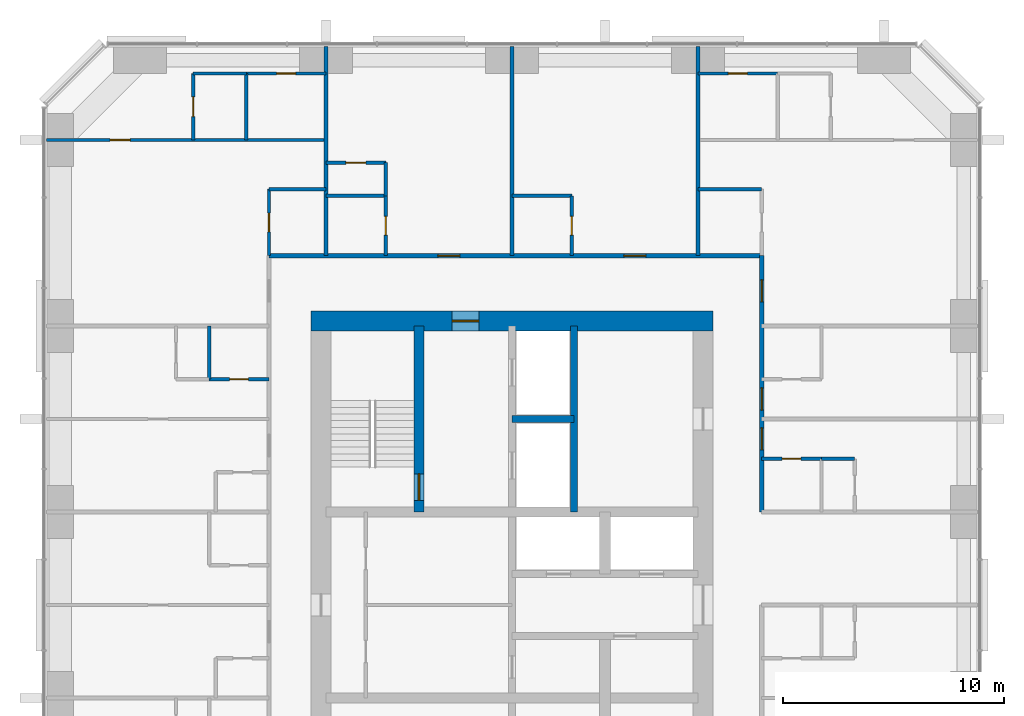
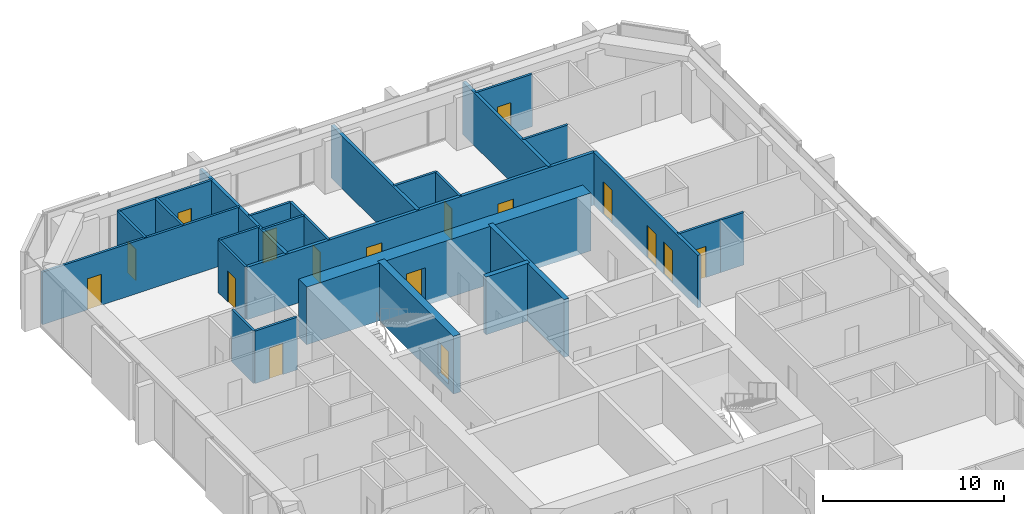
# One storey, part 10 of 12: 28 walls, 17 doors, 17 openings.
"""IFC4 building model written with IfcOpenShell, lengths in metres."""

import ifcopenshell
import ifcopenshell.guid

model = None  # the IFC model being written
_history = None  # IfcOwnerHistory: only IFC2X3 demands one
_inside = {}  # id of a spatial element -> (the spatial element, [elements in it])
_under = {}  # id of a project, library or spatial element -> (it, [spatial elements below it])
_declared = {}  # id of a project -> (the project, [libraries it declares])
_typed = {}  # id of a type object -> (the type object, [elements of that type])
_made_of = {}  # id of a material, layer set ... -> (it, [elements and type objects made of it])


def new_model(schema):
    """Start an empty IFC model of exactly this schema.

    Asked for "IFC4X3", IfcOpenShell would pick the latest addendum, in which some entities
    have other attributes; the version numbers below select the first issue.
    IFC2X3 requires an IfcOwnerHistory on every rooted entity: one is made here for all.
    """
    global model, _history
    if schema == "IFC4X3":
        model = ifcopenshell.file(schema_version=(4, 3, 0, 0))
    else:
        model = ifcopenshell.file(schema=schema)
    _inside.clear()
    _under.clear()
    _declared.clear()
    _typed.clear()
    _made_of.clear()
    _history = None
    if model.schema == "IFC2X3":
        org = make("IfcOrganization", Name="unknown")
        user = make(
            "IfcPersonAndOrganization",
            ThePerson=make("IfcPerson", FamilyName="unknown"),
            TheOrganization=org,
        )
        app = make(
            "IfcApplication",
            ApplicationDeveloper=org,
            Version="unknown",
            ApplicationFullName="unknown",
            ApplicationIdentifier="unknown",
        )
        _history = make(
            "IfcOwnerHistory",
            OwningUser=user,
            OwningApplication=app,
            ChangeAction="ADDED",
            CreationDate=0,
        )
    return model


def make(cls, **values):
    """One entity of the class cls with the attributes given. An attribute that is None is left unset."""
    return model.create_entity(
        cls, **{name: value for name, value in values.items() if value is not None}
    )


def rooted(cls, **values):
    """An entity with a GlobalId (a new one), such as an element, a storey or a relation."""
    return make(cls, GlobalId=ifcopenshell.guid.new(), OwnerHistory=_history, **values)


def si_unit(unit_type, name, prefix=None):
    """IfcSIUnit, for example si_unit("LENGTHUNIT", "METRE", prefix="MILLI")."""
    return make("IfcSIUnit", UnitType=unit_type, Prefix=prefix, Name=name)


def assignment(units):
    """IfcUnitAssignment: the units of a project."""
    return None if units is None else make("IfcUnitAssignment", Units=units)


def point(xyz):
    """IfcCartesianPoint."""
    return None if xyz is None else make("IfcCartesianPoint", Coordinates=xyz)


def direction(xyz):
    """IfcDirection."""
    return None if xyz is None else make("IfcDirection", DirectionRatios=xyz)


def frame(location, z_axis=None, x_axis=None):
    """IfcAxis2Placement3D, a coordinate frame: its origin and axes. An axis left out is left unset."""
    return make(
        "IfcAxis2Placement3D",
        Location=point(location),
        Axis=direction(z_axis),
        RefDirection=direction(x_axis),
    )


def frame_2d(location, x_axis=None):
    """IfcAxis2Placement2D, a coordinate frame in the plane: its origin and x axis."""
    return make(
        "IfcAxis2Placement2D", Location=point(location), RefDirection=direction(x_axis)
    )


def origin():
    """The frame at (0, 0, 0) with its axes left unset."""
    return frame((0.0, 0.0, 0.0))


def place(relative_to, where):
    """IfcLocalPlacement: puts the frame where relative to a parent placement (None: the world)."""
    return make(
        "IfcLocalPlacement", PlacementRelTo=relative_to, RelativePlacement=where
    )


def context(
    kind, dimensions, precision=None, world=None, true_north=None, identifier=None
):
    """IfcGeometricRepresentationContext, for example the 3D "Model" context."""
    return make(
        "IfcGeometricRepresentationContext",
        ContextIdentifier=identifier,
        ContextType=kind,
        CoordinateSpaceDimension=dimensions,
        Precision=precision,
        WorldCoordinateSystem=world,
        TrueNorth=true_north,
    )


def subcontext(parent, identifier, kind, view, scale=None):
    """IfcGeometricRepresentationSubContext, for example "Body" below "Model"."""
    return make(
        "IfcGeometricRepresentationSubContext",
        ContextIdentifier=identifier,
        ContextType=kind,
        ParentContext=parent,
        TargetScale=scale,
        TargetView=view,
    )


def project(units=None, contexts=None):
    """IfcProject with its units and contexts."""
    return rooted(
        "IfcProject",
        Name="project",
        RepresentationContexts=contexts,
        UnitsInContext=assignment(units),
    )


def spatial(cls, under=None, at=None, **own):
    """A site, building, storey or space (cls), placed at a placement, below another one or the project."""
    s = rooted(cls, ObjectPlacement=at, **own)
    if under is not None:
        _under.setdefault(under.id(), (under, []))[1].append(s)
    return s


def profile(cls, at=None, kind="AREA", **sizes):
    """A parametric profile (cls). Its sizes go by their IFC names, for example OverallWidth=200.0."""
    return make(cls, ProfileType=kind, Position=at, **sizes)


def rectangle(**sizes):
    """IfcRectangleProfileDef."""
    return profile("IfcRectangleProfileDef", **sizes)


def extrude(swept, where, along, depth):
    """IfcExtrudedAreaSolid: the profile swept, set in the frame where, extruded along a direction by depth."""
    return make(
        "IfcExtrudedAreaSolid",
        SweptArea=swept,
        Position=where,
        ExtrudedDirection=direction(along),
        Depth=depth,
    )


def shape(context_of_items, identifier, shape_type, items):
    """IfcShapeRepresentation: the items that make up one representation, for example the "Body"."""
    return make(
        "IfcShapeRepresentation",
        ContextOfItems=context_of_items,
        RepresentationIdentifier=identifier,
        RepresentationType=shape_type,
        Items=items,
    )


def material(Name=None, Category=None):
    """IfcMaterial."""
    return make("IfcMaterial", Name=Name, Category=Category)


def layer(
    of_material, thickness, ventilated=None, Name=None, Category=None, Priority=None
):
    """IfcMaterialLayer: one layer of a wall or slab, of a material (None: an air gap)."""
    return make(
        "IfcMaterialLayer",
        Material=of_material,
        LayerThickness=thickness,
        IsVentilated=ventilated,
        Name=Name,
        Category=Category,
        Priority=Priority,
    )


def layer_set(layers, Name=None):
    """IfcMaterialLayerSet."""
    return make("IfcMaterialLayerSet", MaterialLayers=layers, LayerSetName=Name)


def made_of(thing, what):
    """Note that an element or type object is made of a material, layer set ...; save() writes the relation."""
    if what is not None:
        _made_of.setdefault(what.id(), (what, []))[1].append(thing)
    return thing


def type_object(cls, material=None, **own):
    """A type object (cls), such as IfcWallType, which elements share."""
    return made_of(rooted(cls, **own), material)


def element(
    cls,
    number,
    at=None,
    inside=None,
    cuts=None,
    type_object=None,
    material=None,
    context=None,
    identifier="Body",
    shape_type=None,
    held_by="IfcProductDefinitionShape",
    body=None,
    shapes=None,
    **own,
):
    """One element of the class cls, such as IfcWall. Its Tag is "e" and its number.

    at: its placement. inside: the storey or other place that contains it. cuts: it is an
    opening in that element (IfcRelVoidsElement). A single representation is given by context,
    identifier, shape_type and body (its items); several are given by shapes. held_by: the class
    of the entity that holds the representations. save() writes the other relations.
    """
    e = rooted(cls, Tag="e%d" % number, ObjectPlacement=at, **own)
    if body is not None:
        shapes = [shape(context, identifier, shape_type, body)]
    if shapes is not None:
        e.Representation = make(held_by, Representations=shapes)
    if inside is not None:
        _inside.setdefault(inside.id(), (inside, []))[1].append(e)
    if cuts is not None:
        rooted(
            "IfcRelVoidsElement", RelatingBuildingElement=cuts, RelatedOpeningElement=e
        )
    if type_object is not None:
        _typed.setdefault(type_object.id(), (type_object, []))[1].append(e)
    return made_of(e, material)


def fill(opening, filler):
    """IfcRelFillsElement: the door or window that sits in an opening."""
    return rooted(
        "IfcRelFillsElement",
        RelatingOpeningElement=opening,
        RelatedBuildingElement=filler,
    )


def aggregate(whole, parts):
    """IfcRelAggregates: a whole, such as a stair, and the parts it consists of."""
    return rooted("IfcRelAggregates", RelatingObject=whole, RelatedObjects=parts)


def save(model, path):
    """Write the relations noted so far, then the file.

    IfcRelAggregates (storeys below a building ...), IfcRelContainedInSpatialStructure (elements
    in a storey), IfcRelDefinesByType, IfcRelAssociatesMaterial and IfcRelDeclares: one each for
    every whole, place, type object, material and project.
    """
    for whole, parts in _under.values():
        aggregate(whole, parts)
    for where, things in _inside.values():
        rooted(
            "IfcRelContainedInSpatialStructure",
            RelatedElements=things,
            RelatingStructure=where,
        )
    for kind, things in _typed.values():
        rooted("IfcRelDefinesByType", RelatedObjects=things, RelatingType=kind)
    for what, things in _made_of.values():
        rooted("IfcRelAssociatesMaterial", RelatedObjects=things, RelatingMaterial=what)
    for by, libraries in _declared.values():
        rooted("IfcRelDeclares", RelatingContext=by, RelatedDefinitions=libraries)
    model.write(path)


model = new_model("IFC4")

# Units and contexts
model_context = context("Model", 3, precision=1e-05, world=origin(), true_north=direction((0.0, 1.0)))
body_context = subcontext(model_context, "Body", "Model", "MODEL_VIEW")
ifc_project = project(units=[si_unit("LENGTHUNIT", "METRE"), si_unit("AREAUNIT", "SQUARE_METRE"), si_unit("VOLUMEUNIT", "CUBIC_METRE"), si_unit("PLANEANGLEUNIT", "RADIAN"), si_unit("MASSUNIT", "GRAM", prefix="KILO")], contexts=[model_context])

# Site, building, storey
site_placement = place(None, origin())
site = spatial("IfcSite", under=ifc_project, at=site_placement, CompositionType="ELEMENT")
building_placement = place(site_placement, origin())
building = spatial("IfcBuilding", under=site, at=building_placement, Name="Dunama Terrace Hotel", CompositionType="ELEMENT")
storey_placement = place(building_placement, frame((0.0, 0.0, 233.39990234375)))
storey = spatial("IfcBuildingStorey", under=building, at=storey_placement, Name="L60", CompositionType="ELEMENT", Elevation=233.39990234375)

# Wall, opening, door
ifc_material_1 = material(Name="Gypsum board partition", Category="masonry")
ifc_layer_1 = layer(ifc_material_1, 0.14990234375)
ifc_layer_set_1 = layer_set([ifc_layer_1], Name="Bathroom partition 150")
wall_type_1 = type_object("IfcWallType", Name="Bathroom partition 150", PredefinedType="PARTITIONING", material=ifc_layer_set_1)
wall_1_placement = place(storey_placement, frame((22.625, 45.175048828125, 0.0), z_axis=(0.0, 0.0, 1.0), x_axis=(0.0, 1.0, 0.0)))
wall_1 = element("IfcWall", 1, at=wall_1_placement, inside=storey, type_object=wall_type_1, Name="Bathroom partition 150 L60", PredefinedType="PARTITIONING", context=body_context, shape_type="SweptSolid", body=[
    extrude(rectangle(XDim=3.0, YDim=0.14990234375, at=frame_2d((1.5, 0.0))), origin(), (0.0, 0.0, 1.0), 3.550048828125),
])
opening_1_placement = place(wall_1_placement, frame((1.074951171875, 0.0, 0.0)))
opening_1 = element("IfcOpeningElement", 2, at=opening_1_placement, cuts=wall_1, Name="Opening L60-062", PredefinedType="OPENING", context=body_context, shape_type="SweptSolid", body=[
    extrude(rectangle(XDim=0.85009765625, YDim=2.10009765625, at=frame_2d((0.425048828125, 1.050048828125))), frame((0.0, 0.0849609375, 0.0), z_axis=(0.0, -1.0, 0.0), x_axis=(1.0, 0.0, 0.0)), (0.0, 0.0, 1.0), 0.169921875),
])
ifc_material_2 = material(Name="Timber door with steel frame", Category="steel")
door_type_1 = type_object("IfcDoorType", Name="Bathroom door 850", OperationType="SINGLE_SWING_LEFT", PredefinedType="DOOR", material=ifc_material_2)
door_1_placement = place(opening_1_placement, frame((0.85009765625, 0.0, 0.0), z_axis=(0.0, 0.0, 1.0), x_axis=(-1.0, 0.0, 0.0)))
door_1 = element("IfcDoor", 3, at=door_1_placement, inside=storey, type_object=door_type_1, Name="Door to powder room L60-062, type D2", OperationType="SINGLE_SWING_RIGHT", OverallHeight=2.10009765625, OverallWidth=0.85009765625, PredefinedType="DOOR", context=body_context, shape_type="SweptSolid", body=[
    extrude(rectangle(XDim=0.85009765625, YDim=2.10009765625, at=frame_2d((0.425048828125, 1.050048828125))), frame((0.0, 0.025146484375, 0.0), z_axis=(0.0, -1.0, 0.0), x_axis=(1.0, 0.0, 0.0)), (0.0, 0.0, 1.0), 0.050048828125),
])
fill(opening_1, door_1)

wall_2_placement = place(storey_placement, frame((27.89990234375, 45.175048828125, 0.0), z_axis=(0.0, 0.0, 1.0), x_axis=(0.0, 1.0, 0.0)))
wall_2 = element("IfcWall", 4, at=wall_2_placement, inside=storey, type_object=wall_type_1, Name="Bathroom partition 150 L60", PredefinedType="PARTITIONING", context=body_context, shape_type="SweptSolid", body=[
    extrude(rectangle(XDim=2.699951171875, YDim=0.14990234375, at=frame_2d((1.35009765625, 0.0))), origin(), (0.0, 0.0, 1.0), 3.550048828125),
])
opening_2_placement = place(wall_2_placement, frame((0.925048828125, 0.0, 0.0)))
opening_2 = element("IfcOpeningElement", 5, at=opening_2_placement, cuts=wall_2, Name="Opening L60-028", PredefinedType="OPENING", context=body_context, shape_type="SweptSolid", body=[
    extrude(rectangle(XDim=0.85009765625, YDim=2.10009765625, at=frame_2d((0.425048828125, 1.050048828125))), frame((0.0, 0.0849609375, 0.0), z_axis=(0.0, -1.0, 0.0), x_axis=(1.0, 0.0, 0.0)), (0.0, 0.0, 1.0), 0.169921875),
])
door_2_placement = place(opening_2_placement, origin())
door_2 = element("IfcDoor", 6, at=door_2_placement, inside=storey, type_object=door_type_1, Name="Door to en-suite bathroom L60-028, type D2", OperationType="SINGLE_SWING_LEFT", OverallHeight=2.10009765625, OverallWidth=0.85009765625, PredefinedType="DOOR", context=body_context, shape_type="SweptSolid", body=[
    extrude(rectangle(XDim=0.85009765625, YDim=2.10009765625, at=frame_2d((0.425048828125, 1.050048828125))), frame((0.0, 0.02490234375, 0.0), z_axis=(0.0, -1.0, 0.0), x_axis=(1.0, 0.0, 0.0)), (0.0, 0.0, 1.0), 0.050048828125),
])
fill(opening_2, door_2)

wall_3_placement = place(storey_placement, frame((36.300048828125, 45.175048828125, 0.0), z_axis=(0.0, 0.0, 1.0), x_axis=(0.0, 1.0, 0.0)))
wall_3 = element("IfcWall", 7, at=wall_3_placement, inside=storey, type_object=wall_type_1, Name="Bathroom partition 150 L60", PredefinedType="PARTITIONING", context=body_context, shape_type="SweptSolid", body=[
    extrude(rectangle(XDim=2.699951171875, YDim=0.14990234375, at=frame_2d((1.35009765625, 0.0))), origin(), (0.0, 0.0, 1.0), 3.550048828125),
])
opening_3_placement = place(wall_3_placement, frame((0.925048828125, 0.0, 0.0)))
opening_3 = element("IfcOpeningElement", 8, at=opening_3_placement, cuts=wall_3, Name="Opening L60-031", PredefinedType="OPENING", context=body_context, shape_type="SweptSolid", body=[
    extrude(rectangle(XDim=0.85009765625, YDim=2.10009765625, at=frame_2d((0.425048828125, 1.050048828125))), frame((0.0, 0.0849609375, 0.0), z_axis=(0.0, -1.0, 0.0), x_axis=(1.0, 0.0, 0.0)), (0.0, 0.0, 1.0), 0.169921875),
])
door_3_placement = place(opening_3_placement, origin())
door_3 = element("IfcDoor", 9, at=door_3_placement, inside=storey, type_object=door_type_1, Name="Door to en-suite bathroom L60-031, type D2", OperationType="SINGLE_SWING_LEFT", OverallHeight=2.10009765625, OverallWidth=0.85009765625, PredefinedType="DOOR", context=body_context, shape_type="SweptSolid", body=[
    extrude(rectangle(XDim=0.85009765625, YDim=2.10009765625, at=frame_2d((0.425048828125, 1.050048828125))), frame((0.0, 0.02490234375, 0.0), z_axis=(0.0, -1.0, 0.0), x_axis=(1.0, 0.0, 0.0)), (0.0, 0.0, 1.0), 0.050048828125),
])
fill(opening_3, door_3)

wall_4_placement = place(storey_placement, frame((44.875, 36.0, 0.0), z_axis=(0.0, 0.0, 1.0), x_axis=(1.0, 0.0, 0.0)))
wall_4 = element("IfcWall", 10, at=wall_4_placement, inside=storey, type_object=wall_type_1, Name="Bathroom partition 150 L60", PredefinedType="PARTITIONING", context=body_context, shape_type="SweptSolid", body=[
    extrude(rectangle(XDim=2.699951171875, YDim=0.14990234375, at=frame_2d((1.35009765625, 0.0))), origin(), (0.0, 0.0, 1.0), 3.550048828125),
])
opening_4_placement = place(wall_4_placement, frame((0.925048828125, 0.0, 0.0)))
opening_4 = element("IfcOpeningElement", 11, at=opening_4_placement, cuts=wall_4, Name="Opening L60-023", PredefinedType="OPENING", context=body_context, shape_type="SweptSolid", body=[
    extrude(rectangle(XDim=0.85009765625, YDim=2.10009765625, at=frame_2d((0.425048828125, 1.050048828125))), frame((0.0, 0.0849609375, 0.0), z_axis=(0.0, -1.0, 0.0), x_axis=(1.0, 0.0, 0.0)), (0.0, 0.0, 1.0), 0.169921875),
])
door_4_placement = place(opening_4_placement, frame((0.85009765625, 0.0, 0.0), z_axis=(0.0, 0.0, 1.0), x_axis=(-1.0, 0.0, 0.0)))
door_4 = element("IfcDoor", 12, at=door_4_placement, inside=storey, type_object=door_type_1, Name="Door to en-suite bathroom L60-023, type D2", OperationType="SINGLE_SWING_RIGHT", OverallHeight=2.10009765625, OverallWidth=0.85009765625, PredefinedType="DOOR", context=body_context, shape_type="SweptSolid", body=[
    extrude(rectangle(XDim=0.85009765625, YDim=2.10009765625, at=frame_2d((0.425048828125, 1.050048828125))), frame((0.0, 0.025146484375, 0.0), z_axis=(0.0, -1.0, 0.0), x_axis=(1.0, 0.0, 0.0)), (0.0, 0.0, 1.0), 0.050048828125),
])
fill(opening_4, door_4)

wall_5_placement = place(storey_placement, frame((19.925048828125, 39.60009765625, 0.0), z_axis=(0.0, 0.0, 1.0), x_axis=(1.0, 0.0, 0.0)))
wall_5 = element("IfcWall", 13, at=wall_5_placement, inside=storey, type_object=wall_type_1, Name="Bathroom partition 150 L60", PredefinedType="PARTITIONING", context=body_context, shape_type="SweptSolid", body=[
    extrude(rectangle(XDim=2.699951171875, YDim=0.14990234375, at=frame_2d((1.35009765625, 0.0))), origin(), (0.0, 0.0, 1.0), 3.550048828125),
])
opening_5_placement = place(wall_5_placement, frame((0.925048828125, 0.0, 0.0)))
opening_5 = element("IfcOpeningElement", 14, at=opening_5_placement, cuts=wall_5, Name="Opening L60-044", PredefinedType="OPENING", context=body_context, shape_type="SweptSolid", body=[
    extrude(rectangle(XDim=0.85009765625, YDim=2.10009765625, at=frame_2d((0.425048828125, 1.050048828125))), frame((0.0, 0.0849609375, 0.0), z_axis=(0.0, -1.0, 0.0), x_axis=(1.0, 0.0, 0.0)), (0.0, 0.0, 1.0), 0.169921875),
])
door_5_placement = place(opening_5_placement, origin())
door_5 = element("IfcDoor", 15, at=door_5_placement, inside=storey, type_object=door_type_1, Name="Door to en-suite bathroom L60-044, type D2", OperationType="SINGLE_SWING_RIGHT", OverallHeight=2.10009765625, OverallWidth=0.85009765625, PredefinedType="DOOR", context=body_context, shape_type="SweptSolid", body=[
    extrude(rectangle(XDim=0.85009765625, YDim=2.10009765625, at=frame_2d((0.425048828125, 1.050048828125))), frame((0.0, 0.02490234375, 0.0), z_axis=(0.0, -1.0, 0.0), x_axis=(1.0, 0.0, 0.0)), (0.0, 0.0, 1.0), 0.050048828125),
])
fill(opening_5, door_5)

# Walls
wall_6_placement = place(storey_placement, frame((33.60009765625, 47.875, 0.0), z_axis=(0.0, 0.0, 1.0), x_axis=(1.0, 0.0, 0.0)))
element("IfcWall", 16, at=wall_6_placement, inside=storey, type_object=wall_type_1, Name="Bathroom partition 150 L60", PredefinedType="PARTITIONING", context=body_context, shape_type="SweptSolid", body=[
    extrude(rectangle(XDim=2.699951171875, YDim=0.14990234375, at=frame_2d((1.35009765625, 0.0))), origin(), (0.0, 0.0, 1.0), 3.550048828125),
])
wall_7_placement = place(storey_placement, frame((22.625, 48.175048828125, 0.0), z_axis=(0.0, 0.0, 1.0), x_axis=(1.0, 0.0, 0.0)))
element("IfcWall", 17, at=wall_7_placement, inside=storey, type_object=wall_type_1, Name="Bathroom partition 150 L60", PredefinedType="PARTITIONING", context=body_context, shape_type="SweptSolid", body=[
    extrude(rectangle(XDim=2.574951171875, YDim=0.14990234375, at=frame_2d((1.28759765625, 0.0))), origin(), (0.0, 0.0, 1.0), 3.550048828125),
])
wall_8_placement = place(storey_placement, frame((42.0, 48.175048828125, 0.0), z_axis=(0.0, 0.0, 1.0), x_axis=(1.0, 0.0, 0.0)))
element("IfcWall", 18, at=wall_8_placement, inside=storey, type_object=wall_type_1, Name="Bathroom partition 150 L60", PredefinedType="PARTITIONING", context=body_context, shape_type="SweptSolid", body=[
    extrude(rectangle(XDim=2.875, YDim=0.14990234375, at=frame_2d((1.4375, 0.0))), origin(), (0.0, 0.0, 1.0), 3.550048828125),
])

# Wall, opening, door
wall_9_placement = place(storey_placement, frame((21.60009765625, 53.39990234375, 0.0), z_axis=(0.0, 0.0, 1.0), x_axis=(1.0, 0.0, 0.0)))
wall_9 = element("IfcWall", 19, at=wall_9_placement, inside=storey, type_object=wall_type_1, Name="Bathroom partition 150 L60", PredefinedType="PARTITIONING", context=body_context, shape_type="SweptSolid", body=[
    extrude(rectangle(XDim=3.599853515625, YDim=0.14990234375, at=frame_2d((1.7998046875, 0.0))), origin(), (0.0, 0.0, 1.0), 3.550048828125),
])
opening_6_placement = place(wall_9_placement, frame((1.375, 0.0, 0.0)))
opening_6 = element("IfcOpeningElement", 20, at=opening_6_placement, cuts=wall_9, Name="Opening L60-064", PredefinedType="OPENING", context=body_context, shape_type="SweptSolid", body=[
    extrude(rectangle(XDim=0.85009765625, YDim=2.10009765625, at=frame_2d((0.425048828125, 1.050048828125))), frame((0.0, 0.0849609375, 0.0), z_axis=(0.0, -1.0, 0.0), x_axis=(1.0, 0.0, 0.0)), (0.0, 0.0, 1.0), 0.169921875),
])
door_6_placement = place(opening_6_placement, frame((0.85009765625, 0.0, 0.0), z_axis=(0.0, 0.0, 1.0), x_axis=(-1.0, 0.0, 0.0)))
door_6 = element("IfcDoor", 21, at=door_6_placement, inside=storey, type_object=door_type_1, Name="Door to en-suite bathroom L60-064, type D2", OperationType="SINGLE_SWING_LEFT", OverallHeight=2.10009765625, OverallWidth=0.85009765625, PredefinedType="DOOR", context=body_context, shape_type="SweptSolid", body=[
    extrude(rectangle(XDim=0.85009765625, YDim=2.10009765625, at=frame_2d((0.425048828125, 1.050048828125))), frame((0.0, 0.025146484375, 0.0), z_axis=(0.0, -1.0, 0.0), x_axis=(1.0, 0.0, 0.0)), (0.0, 0.0, 1.0), 0.050048828125),
])
fill(opening_6, door_6)

wall_10_placement = place(storey_placement, frame((42.0, 53.39990234375, 0.0), z_axis=(0.0, 0.0, 1.0), x_axis=(1.0, 0.0, 0.0)))
wall_10 = element("IfcWall", 22, at=wall_10_placement, inside=storey, type_object=wall_type_1, Name="Bathroom partition 150 L60", PredefinedType="PARTITIONING", context=body_context, shape_type="SweptSolid", body=[
    extrude(rectangle(XDim=3.60009765625, YDim=0.14990234375, at=frame_2d((1.800048828125, 0.0))), origin(), (0.0, 0.0, 1.0), 3.550048828125),
])
opening_7_placement = place(wall_10_placement, frame((1.375, 0.0, 0.0)))
opening_7 = element("IfcOpeningElement", 23, at=opening_7_placement, cuts=wall_10, Name="Opening L60-059", PredefinedType="OPENING", context=body_context, shape_type="SweptSolid", body=[
    extrude(rectangle(XDim=0.85009765625, YDim=2.10009765625, at=frame_2d((0.425048828125, 1.050048828125))), frame((0.0, 0.0849609375, 0.0), z_axis=(0.0, -1.0, 0.0), x_axis=(1.0, 0.0, 0.0)), (0.0, 0.0, 1.0), 0.169921875),
])
door_7_placement = place(opening_7_placement, frame((0.85009765625, 0.0, 0.0), z_axis=(0.0, 0.0, 1.0), x_axis=(-1.0, 0.0, 0.0)))
door_7 = element("IfcDoor", 24, at=door_7_placement, inside=storey, type_object=door_type_1, Name="Door to en-suite bathroom L60-059, type D2", OperationType="SINGLE_SWING_RIGHT", OverallHeight=2.10009765625, OverallWidth=0.85009765625, PredefinedType="DOOR", context=body_context, shape_type="SweptSolid", body=[
    extrude(rectangle(XDim=0.85009765625, YDim=2.10009765625, at=frame_2d((0.425048828125, 1.050048828125))), frame((0.0, 0.025146484375, 0.0), z_axis=(0.0, -1.0, 0.0), x_axis=(1.0, 0.0, 0.0)), (0.0, 0.0, 1.0), 0.050048828125),
])
fill(opening_7, door_7)

# Walls
ifc_material_3 = material(Name="Concrete C50/60", Category="concrete")
ifc_layer_2 = layer(ifc_material_3, 0.300048828125)
ifc_layer_set_2 = layer_set([ifc_layer_2], Name="Core inner wall 300")
wall_type_2 = type_object("IfcWallType", Name="Core inner wall 300", PredefinedType="SHEAR", material=ifc_layer_set_2)
wall_11_placement = place(storey_placement, frame((36.39990234375, 33.60009765625, -0.349853515625), z_axis=(0.0, 0.0, 1.0), x_axis=(0.0, 1.0, 0.0)))
element("IfcWall", 25, at=wall_11_placement, inside=storey, type_object=wall_type_2, Name="Core inner wall 300 L60", PredefinedType="SHEAR", context=body_context, shape_type="SweptSolid", body=[
    extrude(rectangle(XDim=8.39990234375, YDim=0.300048828125, at=frame_2d((4.199951171875, 0.0))), origin(), (0.0, 0.0, 1.0), 3.89990234375),
])
wall_12_placement = place(storey_placement, frame((33.60009765625, 37.800048828125, -0.349853515625), z_axis=(0.0, 0.0, 1.0), x_axis=(1.0, 0.0, 0.0)))
element("IfcWall", 26, at=wall_12_placement, inside=storey, type_object=wall_type_2, Name="Core inner wall 300 L60", PredefinedType="SHEAR", context=body_context, shape_type="SweptSolid", body=[
    extrude(rectangle(XDim=2.7998046875, YDim=0.300048828125, at=frame_2d((1.39990234375, 0.0))), origin(), (0.0, 0.0, 1.0), 3.89990234375),
])

# Wall, opening, door
ifc_material_4 = material(Name="Concrete C50/60", Category="concrete")
ifc_layer_3 = layer(ifc_material_4, 0.449951171875)
ifc_layer_set_3 = layer_set([ifc_layer_3], Name="Core inner wall 450")
wall_type_3 = type_object("IfcWallType", Name="Core inner wall 450", PredefinedType="SHEAR", material=ifc_layer_set_3)
wall_13_placement = place(storey_placement, frame((29.39990234375, 33.60009765625, -0.349853515625), z_axis=(0.0, 0.0, 1.0), x_axis=(0.0, 1.0, 0.0)))
wall_13 = element("IfcWall", 27, at=wall_13_placement, inside=storey, type_object=wall_type_3, Name="Core inner wall 450 L60", PredefinedType="SHEAR", context=body_context, shape_type="SweptSolid", body=[
    extrude(rectangle(XDim=8.39990234375, YDim=0.449951171875, at=frame_2d((4.199951171875, 0.0))), origin(), (0.0, 0.0, 1.0), 3.89990234375),
])
opening_8_placement = place(wall_13_placement, frame((0.52490234375, 0.0, 0.35009765625)))
opening_8 = element("IfcOpeningElement", 28, at=opening_8_placement, cuts=wall_13, Name="Opening L60-001", PredefinedType="OPENING", context=body_context, shape_type="SweptSolid", body=[
    extrude(rectangle(XDim=1.199951171875, YDim=2.199951171875, at=frame_2d((0.60009765625, 1.10009765625))), frame((0.0, 0.23486328125, 0.0), z_axis=(0.0, -1.0, 0.0), x_axis=(1.0, 0.0, 0.0)), (0.0, 0.0, 1.0), 0.469970703125),
])
ifc_material_5 = material(Name="Timber door with steel frame", Category="steel")
door_type_2 = type_object("IfcDoorType", Name="Stair door 1200", OperationType="SINGLE_SWING_LEFT", PredefinedType="DOOR", material=ifc_material_5)
door_8_placement = place(opening_8_placement, origin())
door_8 = element("IfcDoor", 29, at=door_8_placement, inside=storey, type_object=door_type_2, Name="Stair door ST1 L60-001, type D5", OperationType="SINGLE_SWING_LEFT", OverallHeight=2.199951171875, OverallWidth=1.199951171875, PredefinedType="DOOR", context=body_context, shape_type="SweptSolid", body=[
    extrude(rectangle(XDim=1.199951171875, YDim=2.199951171875, at=frame_2d((0.60009765625, 1.10009765625))), frame((0.0, 0.02490234375, 0.0), z_axis=(0.0, -1.0, 0.0), x_axis=(1.0, 0.0, 0.0)), (0.0, 0.0, 1.0), 0.050048828125),
])
fill(opening_8, door_8)

ifc_material_6 = material(Name="Concrete C60/75", Category="concrete")
ifc_layer_4 = layer(ifc_material_6, 0.89990234375)
ifc_layer_set_4 = layer_set([ifc_layer_4], Name="Core wall 900")
wall_type_4 = type_object("IfcWallType", Name="Core wall 900", PredefinedType="SHEAR", material=ifc_layer_set_4)
wall_14_placement = place(storey_placement, frame((42.675048828125, 42.22509765625, -0.349853515625), z_axis=(0.0, 0.0, 1.0), x_axis=(-1.0, 0.0, 0.0)))
wall_14 = element("IfcWall", 30, at=wall_14_placement, inside=storey, type_object=wall_type_4, Name="Core wall north L60", PredefinedType="SHEAR", context=body_context, shape_type="SweptSolid", body=[
    extrude(rectangle(XDim=18.150146484375, YDim=0.89990234375, at=frame_2d((9.0751953125, 0.0))), origin(), (0.0, 0.0, 1.0), 3.89990234375),
])
opening_9_placement = place(wall_14_placement, frame((10.574951171875, 0.0, 0.35009765625)))
opening_9 = element("IfcOpeningElement", 31, at=opening_9_placement, cuts=wall_14, Name="Opening L60-072", PredefinedType="OPENING", context=body_context, shape_type="SweptSolid", body=[
    extrude(rectangle(XDim=1.199951171875, YDim=2.199951171875, at=frame_2d((0.60009765625, 1.10009765625))), frame((0.0, 0.4599609375, 0.0), z_axis=(0.0, -1.0, 0.0), x_axis=(1.0, 0.0, 0.0)), (0.0, 0.0, 1.0), 0.919921875),
])
ifc_material_7 = material(Name="Timber door with steel frame", Category="steel")
door_type_3 = type_object("IfcDoorType", Name="Firefighting lobby door 1200", OperationType="SINGLE_SWING_LEFT", PredefinedType="DOOR", material=ifc_material_7)
door_9_placement = place(opening_9_placement, origin())
door_9 = element("IfcDoor", 32, at=door_9_placement, inside=storey, type_object=door_type_3, Name="Door to firefighting lobby L60-072, type D4", OperationType="SINGLE_SWING_RIGHT", OverallHeight=2.199951171875, OverallWidth=1.199951171875, PredefinedType="DOOR", context=body_context, shape_type="SweptSolid", body=[
    extrude(rectangle(XDim=1.199951171875, YDim=2.199951171875, at=frame_2d((0.60009765625, 1.10009765625))), frame((0.0, 0.02490234375, 0.0), z_axis=(0.0, -1.0, 0.0), x_axis=(1.0, 0.0, 0.0)), (0.0, 0.0, 1.0), 0.050048828125),
])
fill(opening_9, door_9)

# Wall, openings, doors
ifc_material_8 = material(Name="Concrete blockwork", Category="masonry")
ifc_layer_5 = layer(ifc_material_8, 0.199951171875)
ifc_layer_set_5 = layer_set([ifc_layer_5], Name="Corridor partition 200")
wall_type_5 = type_object("IfcWallType", Name="Corridor partition 200", PredefinedType="PARTITIONING", material=ifc_layer_set_5)
wall_15_placement = place(storey_placement, frame((22.625, 45.175048828125, 0.0), z_axis=(0.0, 0.0, 1.0), x_axis=(1.0, 0.0, 0.0)))
wall_15 = element("IfcWall", 33, at=wall_15_placement, inside=storey, type_object=wall_type_5, Name="Corridor partition 200 L60", PredefinedType="PARTITIONING", context=body_context, shape_type="SweptSolid", body=[
    extrude(rectangle(XDim=22.25, YDim=0.199951171875, at=frame_2d((11.125, 0.0))), origin(), (0.0, 0.0, 1.0), 3.550048828125),
])
opening_10_placement = place(wall_15_placement, frame((7.625, 0.0, 0.0)))
opening_10 = element("IfcOpeningElement", 34, at=opening_10_placement, cuts=wall_15, Name="Opening L60-027", PredefinedType="OPENING", context=body_context, shape_type="SweptSolid", body=[
    extrude(rectangle(XDim=1.0, YDim=2.199951171875, at=frame_2d((0.5, 1.10009765625))), frame((0.0, 0.10986328125, 0.0), z_axis=(0.0, -1.0, 0.0), x_axis=(1.0, 0.0, 0.0)), (0.0, 0.0, 1.0), 0.219970703125),
])
opening_11_placement = place(wall_15_placement, frame((16.02490234375, 0.0, 0.0)))
opening_11 = element("IfcOpeningElement", 35, at=opening_11_placement, cuts=wall_15, Name="Opening L60-030", PredefinedType="OPENING", context=body_context, shape_type="SweptSolid", body=[
    extrude(rectangle(XDim=1.0, YDim=2.199951171875, at=frame_2d((0.5, 1.10009765625))), frame((0.0, 0.10986328125, 0.0), z_axis=(0.0, -1.0, 0.0), x_axis=(1.0, 0.0, 0.0)), (0.0, 0.0, 1.0), 0.219970703125),
])
ifc_material_9 = material(Name="Timber door with steel frame", Category="steel")
door_type_4 = type_object("IfcDoorType", Name="Guest room door 1000", OperationType="SINGLE_SWING_LEFT", PredefinedType="DOOR", material=ifc_material_9)
door_10_placement = place(opening_10_placement, origin())
door_10 = element("IfcDoor", 36, at=door_10_placement, inside=storey, type_object=door_type_4, Name="Door to junior suite L60-027, type D1", OperationType="SINGLE_SWING_RIGHT", OverallHeight=2.199951171875, OverallWidth=1.0, PredefinedType="DOOR", context=body_context, shape_type="SweptSolid", body=[
    extrude(rectangle(XDim=1.0, YDim=2.199951171875, at=frame_2d((0.5, 1.10009765625))), frame((0.0, 0.02490234375, 0.0), z_axis=(0.0, -1.0, 0.0), x_axis=(1.0, 0.0, 0.0)), (0.0, 0.0, 1.0), 0.050048828125),
])
fill(opening_10, door_10)
door_11_placement = place(opening_11_placement, origin())
door_11 = element("IfcDoor", 37, at=door_11_placement, inside=storey, type_object=door_type_4, Name="Door to junior suite L60-030, type D1", OperationType="SINGLE_SWING_RIGHT", OverallHeight=2.199951171875, OverallWidth=1.0, PredefinedType="DOOR", context=body_context, shape_type="SweptSolid", body=[
    extrude(rectangle(XDim=1.0, YDim=2.199951171875, at=frame_2d((0.5, 1.10009765625))), frame((0.0, 0.02490234375, 0.0), z_axis=(0.0, -1.0, 0.0), x_axis=(1.0, 0.0, 0.0)), (0.0, 0.0, 1.0), 0.050048828125),
])
fill(opening_11, door_11)

wall_16_placement = place(storey_placement, frame((44.875, 45.175048828125, 0.0), z_axis=(0.0, 0.0, 1.0), x_axis=(0.0, -1.0, 0.0)))
wall_16 = element("IfcWall", 38, at=wall_16_placement, inside=storey, type_object=wall_type_5, Name="Corridor partition 200 L60", PredefinedType="PARTITIONING", context=body_context, shape_type="SweptSolid", body=[
    extrude(rectangle(XDim=11.574951171875, YDim=0.199951171875, at=frame_2d((5.78759765625, 0.0))), origin(), (0.0, 0.0, 1.0), 3.550048828125),
])
opening_12_placement = place(wall_16_placement, frame((7.77490234375, 0.0, 0.0)))
opening_12 = element("IfcOpeningElement", 39, at=opening_12_placement, cuts=wall_16, Name="Opening L60-022", PredefinedType="OPENING", context=body_context, shape_type="SweptSolid", body=[
    extrude(rectangle(XDim=1.0, YDim=2.199951171875, at=frame_2d((0.5, 1.10009765625))), frame((0.0, 0.10986328125, 0.0), z_axis=(0.0, -1.0, 0.0), x_axis=(1.0, 0.0, 0.0)), (0.0, 0.0, 1.0), 0.219970703125),
])
opening_13_placement = place(wall_16_placement, frame((5.97509765625, 0.0, 0.0)))
opening_13 = element("IfcOpeningElement", 40, at=opening_13_placement, cuts=wall_16, Name="Opening L60-025", PredefinedType="OPENING", context=body_context, shape_type="SweptSolid", body=[
    extrude(rectangle(XDim=1.0, YDim=2.199951171875, at=frame_2d((0.5, 1.10009765625))), frame((0.0, 0.10986328125, 0.0), z_axis=(0.0, -1.0, 0.0), x_axis=(1.0, 0.0, 0.0)), (0.0, 0.0, 1.0), 0.219970703125),
])
opening_14_placement = place(wall_16_placement, frame((1.087890625, 0.0, 0.0)))
opening_14 = element("IfcOpeningElement", 41, at=opening_14_placement, cuts=wall_16, Name="Opening L60-056", PredefinedType="OPENING", context=body_context, shape_type="SweptSolid", body=[
    extrude(rectangle(XDim=1.0, YDim=2.199951171875, at=frame_2d((0.5, 1.10009765625))), frame((0.0, 0.10986328125, 0.0), z_axis=(0.0, -1.0, 0.0), x_axis=(1.0, 0.0, 0.0)), (0.0, 0.0, 1.0), 0.219970703125),
])
door_12_placement = place(opening_12_placement, origin())
door_12 = element("IfcDoor", 42, at=door_12_placement, inside=storey, type_object=door_type_4, Name="Door to studio suite L60-022, type D1", OperationType="SINGLE_SWING_LEFT", OverallHeight=2.199951171875, OverallWidth=1.0, PredefinedType="DOOR", context=body_context, shape_type="SweptSolid", body=[
    extrude(rectangle(XDim=1.0, YDim=2.199951171875, at=frame_2d((0.5, 1.10009765625))), frame((0.0, 0.02490234375, 0.0), z_axis=(0.0, -1.0, 0.0), x_axis=(1.0, 0.0, 0.0)), (0.0, 0.0, 1.0), 0.050048828125),
])
fill(opening_12, door_12)
door_13_placement = place(opening_13_placement, origin())
door_13 = element("IfcDoor", 43, at=door_13_placement, inside=storey, type_object=door_type_4, Name="Door to studio suite L60-025, type D1", OperationType="SINGLE_SWING_RIGHT", OverallHeight=2.199951171875, OverallWidth=1.0, PredefinedType="DOOR", context=body_context, shape_type="SweptSolid", body=[
    extrude(rectangle(XDim=1.0, YDim=2.199951171875, at=frame_2d((0.5, 1.10009765625))), frame((0.0, 0.02490234375, 0.0), z_axis=(0.0, -1.0, 0.0), x_axis=(1.0, 0.0, 0.0)), (0.0, 0.0, 1.0), 0.050048828125),
])
fill(opening_13, door_13)
door_14_placement = place(opening_14_placement, origin())
door_14 = element("IfcDoor", 44, at=door_14_placement, inside=storey, type_object=door_type_4, Name="Door to grand corner suite living room L60-056, type D1", OperationType="SINGLE_SWING_RIGHT", OverallHeight=2.199951171875, OverallWidth=1.0, PredefinedType="DOOR", context=body_context, shape_type="SweptSolid", body=[
    extrude(rectangle(XDim=1.0, YDim=2.199951171875, at=frame_2d((0.5, 1.10009765625))), frame((0.0, 0.02490234375, 0.0), z_axis=(0.0, -1.0, 0.0), x_axis=(1.0, 0.0, 0.0)), (0.0, 0.0, 1.0), 0.050048828125),
])
fill(opening_14, door_14)

# Walls
ifc_material_10 = material(Name="Concrete blockwork", Category="masonry")
ifc_layer_6 = layer(ifc_material_10, 0.199951171875)
ifc_layer_set_6 = layer_set([ifc_layer_6], Name="Party wall 200")
wall_type_6 = type_object("IfcWallType", Name="Party wall 200", PredefinedType="PARTITIONING", material=ifc_layer_set_6)
for number, where, z_axis, x_axis, name in (
    (45, (25.199951171875, 45.175048828125, 0.0), (0.0, 0.0, 1.0), (0.0, 1.0, 0.0), "Party wall 200 L60"),
    (46, (33.60009765625, 45.175048828125, 0.0), (0.0, 0.0, 1.0), (0.0, 1.0, 0.0), "Party wall 200 L60"),
    (47, (42.0, 45.175048828125, 0.0), (0.0, 0.0, 1.0), (0.0, 1.0, 0.0), "Party wall 200 L60"),
):
    element("IfcWall", number, at=place(storey_placement, frame(where, z_axis=z_axis, x_axis=x_axis)), inside=storey, type_object=wall_type_6, Name=name, PredefinedType="PARTITIONING", context=body_context, shape_type="SweptSolid", body=[
        extrude(rectangle(XDim=9.44287109375, YDim=0.199951171875, at=frame_2d((4.721435546875, 0.0))), origin(), (0.0, 0.0, 1.0), 3.550048828125),
    ])

# Wall, opening, door
ifc_material_11 = material(Name="Gypsum board partition", Category="masonry")
ifc_layer_7 = layer(ifc_material_11, 0.14990234375)
ifc_layer_set_7 = layer_set([ifc_layer_7], Name="Room partition 150")
wall_type_7 = type_object("IfcWallType", Name="Room partition 150", PredefinedType="PARTITIONING", material=ifc_layer_set_7)
wall_17_placement = place(storey_placement, frame((19.199951171875, 50.39990234375, 0.0), z_axis=(0.0, 0.0, 1.0), x_axis=(0.0, 1.0, 0.0)))
wall_17 = element("IfcWall", 48, at=wall_17_placement, inside=storey, type_object=wall_type_7, Name="Room partition 150 L60", PredefinedType="PARTITIONING", context=body_context, shape_type="SweptSolid", body=[
    extrude(rectangle(XDim=3.0, YDim=0.14990234375, at=frame_2d((1.5, 0.0))), origin(), (0.0, 0.0, 1.0), 3.550048828125),
])
opening_15_placement = place(wall_17_placement, frame((1.050048828125, 0.0, 0.0)))
opening_15 = element("IfcOpeningElement", 49, at=opening_15_placement, cuts=wall_17, Name="Opening L60-065", PredefinedType="OPENING", context=body_context, shape_type="SweptSolid", body=[
    extrude(rectangle(XDim=0.89990234375, YDim=2.10009765625, at=frame_2d((0.449951171875, 1.050048828125))), frame((0.0, 0.0849609375, 0.0), z_axis=(0.0, -1.0, 0.0), x_axis=(1.0, 0.0, 0.0)), (0.0, 0.0, 1.0), 0.169921875),
])
ifc_material_12 = material(Name="Timber door with steel frame", Category="steel")
door_type_5 = type_object("IfcDoorType", Name="Suite internal door 900", OperationType="SINGLE_SWING_LEFT", PredefinedType="DOOR", material=ifc_material_12)
door_15_placement = place(opening_15_placement, frame((0.89990234375, 0.0, 0.0), z_axis=(0.0, 0.0, 1.0), x_axis=(-1.0, 0.0, 0.0)))
door_15 = element("IfcDoor", 50, at=door_15_placement, inside=storey, type_object=door_type_5, Name="Door to dressing room L60-065, type D16", OperationType="SINGLE_SWING_RIGHT", OverallHeight=2.10009765625, OverallWidth=0.89990234375, PredefinedType="DOOR", context=body_context, shape_type="SweptSolid", body=[
    extrude(rectangle(XDim=0.89990234375, YDim=2.10009765625, at=frame_2d((0.449951171875, 1.050048828125))), frame((0.0, 0.025146484375, 0.0), z_axis=(0.0, -1.0, 0.0), x_axis=(1.0, 0.0, 0.0)), (0.0, 0.0, 1.0), 0.050048828125),
])
fill(opening_15, door_15)

# Walls
wall_18_placement = place(storey_placement, frame((19.925048828125, 39.60009765625, 0.0), z_axis=(0.0, 0.0, 1.0), x_axis=(0.0, 1.0, 0.0)))
element("IfcWall", 51, at=wall_18_placement, inside=storey, type_object=wall_type_7, Name="Room partition 150 L60", PredefinedType="PARTITIONING", context=body_context, shape_type="SweptSolid", body=[
    extrude(rectangle(XDim=2.39990234375, YDim=0.14990234375, at=frame_2d((1.199951171875, 0.0))), origin(), (0.0, 0.0, 1.0), 3.550048828125),
])
wall_19_placement = place(storey_placement, frame((21.60009765625, 50.39990234375, 0.0), z_axis=(0.0, 0.0, 1.0), x_axis=(0.0, 1.0, 0.0)))
element("IfcWall", 52, at=wall_19_placement, inside=storey, type_object=wall_type_7, Name="Room partition 150 L60", PredefinedType="PARTITIONING", context=body_context, shape_type="SweptSolid", body=[
    extrude(rectangle(XDim=3.0, YDim=0.14990234375, at=frame_2d((1.5, 0.0))), origin(), (0.0, 0.0, 1.0), 3.550048828125),
])
for number, where, z_axis, x_axis, name in (
    (53, (27.89990234375, 47.875, 0.0), (0.0, 0.0, 1.0), (0.0, 1.0, 0.0), "Room partition 150 L60"),
    (54, (47.574951171875, 36.0, 0.0), (0.0, 0.0, 1.0), (1.0, 0.0, 0.0), "Room partition 150 L60"),
):
    element("IfcWall", number, at=place(storey_placement, frame(where, z_axis=z_axis, x_axis=x_axis)), inside=storey, type_object=wall_type_7, Name=name, PredefinedType="PARTITIONING", context=body_context, shape_type="SweptSolid", body=[
        extrude(rectangle(XDim=1.5, YDim=0.14990234375, at=frame_2d((0.75, 0.0))), origin(), (0.0, 0.0, 1.0), 3.550048828125),
    ])
wall_20_placement = place(storey_placement, frame((25.199951171875, 47.875, 0.0), z_axis=(0.0, 0.0, 1.0), x_axis=(1.0, 0.0, 0.0)))
element("IfcWall", 55, at=wall_20_placement, inside=storey, type_object=wall_type_7, Name="Room partition 150 L60", PredefinedType="PARTITIONING", context=body_context, shape_type="SweptSolid", body=[
    extrude(rectangle(XDim=2.699951171875, YDim=0.14990234375, at=frame_2d((1.35009765625, 0.0))), origin(), (0.0, 0.0, 1.0), 3.550048828125),
])

# Wall, opening, door
wall_21_placement = place(storey_placement, frame((25.199951171875, 49.375, 0.0), z_axis=(0.0, 0.0, 1.0), x_axis=(1.0, 0.0, 0.0)))
wall_21 = element("IfcWall", 56, at=wall_21_placement, inside=storey, type_object=wall_type_7, Name="Room partition 150 L60", PredefinedType="PARTITIONING", context=body_context, shape_type="SweptSolid", body=[
    extrude(rectangle(XDim=2.699951171875, YDim=0.14990234375, at=frame_2d((1.35009765625, 0.0))), origin(), (0.0, 0.0, 1.0), 3.550048828125),
])
opening_16_placement = place(wall_21_placement, frame((0.89990234375, 0.0, 0.0)))
opening_16 = element("IfcOpeningElement", 57, at=opening_16_placement, cuts=wall_21, Name="Opening L60-029", PredefinedType="OPENING", context=body_context, shape_type="SweptSolid", body=[
    extrude(rectangle(XDim=0.89990234375, YDim=2.10009765625, at=frame_2d((0.449951171875, 1.050048828125))), frame((0.0, 0.0849609375, 0.0), z_axis=(0.0, -1.0, 0.0), x_axis=(1.0, 0.0, 0.0)), (0.0, 0.0, 1.0), 0.169921875),
])
door_16_placement = place(opening_16_placement, frame((0.89990234375, 0.0, 0.0), z_axis=(0.0, 0.0, 1.0), x_axis=(-1.0, 0.0, 0.0)))
door_16 = element("IfcDoor", 58, at=door_16_placement, inside=storey, type_object=door_type_5, Name="Door to walk-in wardrobe L60-029, type D16", OperationType="SINGLE_SWING_RIGHT", OverallHeight=2.10009765625, OverallWidth=0.89990234375, PredefinedType="DOOR", context=body_context, shape_type="SweptSolid", body=[
    extrude(rectangle(XDim=0.89990234375, YDim=2.10009765625, at=frame_2d((0.449951171875, 1.050048828125))), frame((0.0, 0.025146484375, 0.0), z_axis=(0.0, -1.0, 0.0), x_axis=(1.0, 0.0, 0.0)), (0.0, 0.0, 1.0), 0.050048828125),
])
fill(opening_16, door_16)

wall_22_placement = place(storey_placement, frame((12.58203125, 50.39990234375, 0.0), z_axis=(0.0, 0.0, 1.0), x_axis=(1.0, 0.0, 0.0)))
wall_22 = element("IfcWall", 59, at=wall_22_placement, inside=storey, type_object=wall_type_7, Name="Room partition 150 L60", PredefinedType="PARTITIONING", context=body_context, shape_type="SweptSolid", body=[
    extrude(rectangle(XDim=12.617919921875, YDim=0.14990234375, at=frame_2d((6.30908203125, 0.0))), origin(), (0.0, 0.0, 1.0), 3.550048828125),
])
opening_17_placement = place(wall_22_placement, frame((2.867919921875, 0.0, 0.0)))
opening_17 = element("IfcOpeningElement", 60, at=opening_17_placement, cuts=wall_22, Name="Opening L60-063", PredefinedType="OPENING", context=body_context, shape_type="SweptSolid", body=[
    extrude(rectangle(XDim=0.89990234375, YDim=2.10009765625, at=frame_2d((0.449951171875, 1.050048828125))), frame((0.0, 0.0849609375, 0.0), z_axis=(0.0, -1.0, 0.0), x_axis=(1.0, 0.0, 0.0)), (0.0, 0.0, 1.0), 0.169921875),
])
door_17_placement = place(opening_17_placement, origin())
door_17 = element("IfcDoor", 61, at=door_17_placement, inside=storey, type_object=door_type_5, Name="Door to grand corner suite bedroom L60-063, type D16", OperationType="SINGLE_SWING_LEFT", OverallHeight=2.10009765625, OverallWidth=0.89990234375, PredefinedType="DOOR", context=body_context, shape_type="SweptSolid", body=[
    extrude(rectangle(XDim=0.89990234375, YDim=2.10009765625, at=frame_2d((0.449951171875, 1.050048828125))), frame((0.0, 0.02490234375, 0.0), z_axis=(0.0, -1.0, 0.0), x_axis=(1.0, 0.0, 0.0)), (0.0, 0.0, 1.0), 0.050048828125),
])
fill(opening_17, door_17)

# Wall
wall_23_placement = place(storey_placement, frame((19.199951171875, 53.39990234375, 0.0), z_axis=(0.0, 0.0, 1.0), x_axis=(1.0, 0.0, 0.0)))
element("IfcWall", 62, at=wall_23_placement, inside=storey, type_object=wall_type_7, Name="Room partition 150 L60", PredefinedType="PARTITIONING", context=body_context, shape_type="SweptSolid", body=[
    extrude(rectangle(XDim=2.400146484375, YDim=0.14990234375, at=frame_2d((1.2001953125, 0.0))), origin(), (0.0, 0.0, 1.0), 3.550048828125),
])

save(model, "model.ifc")
